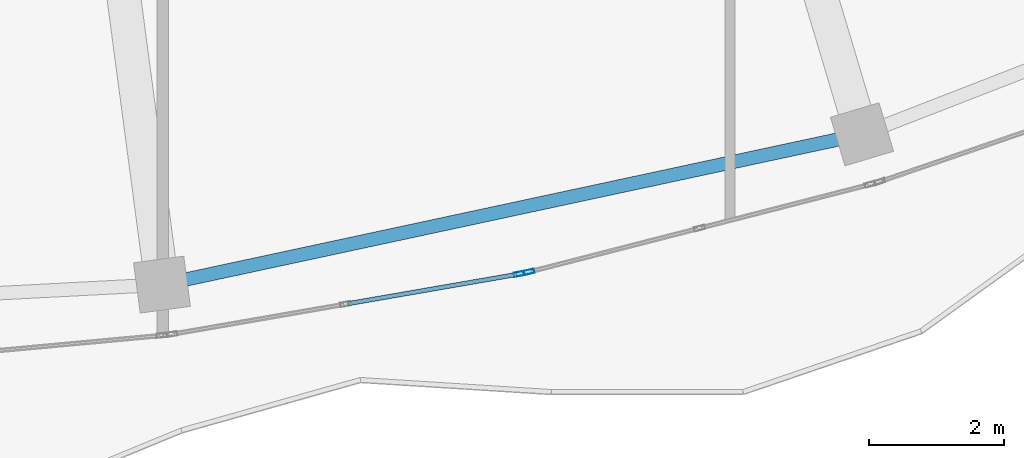
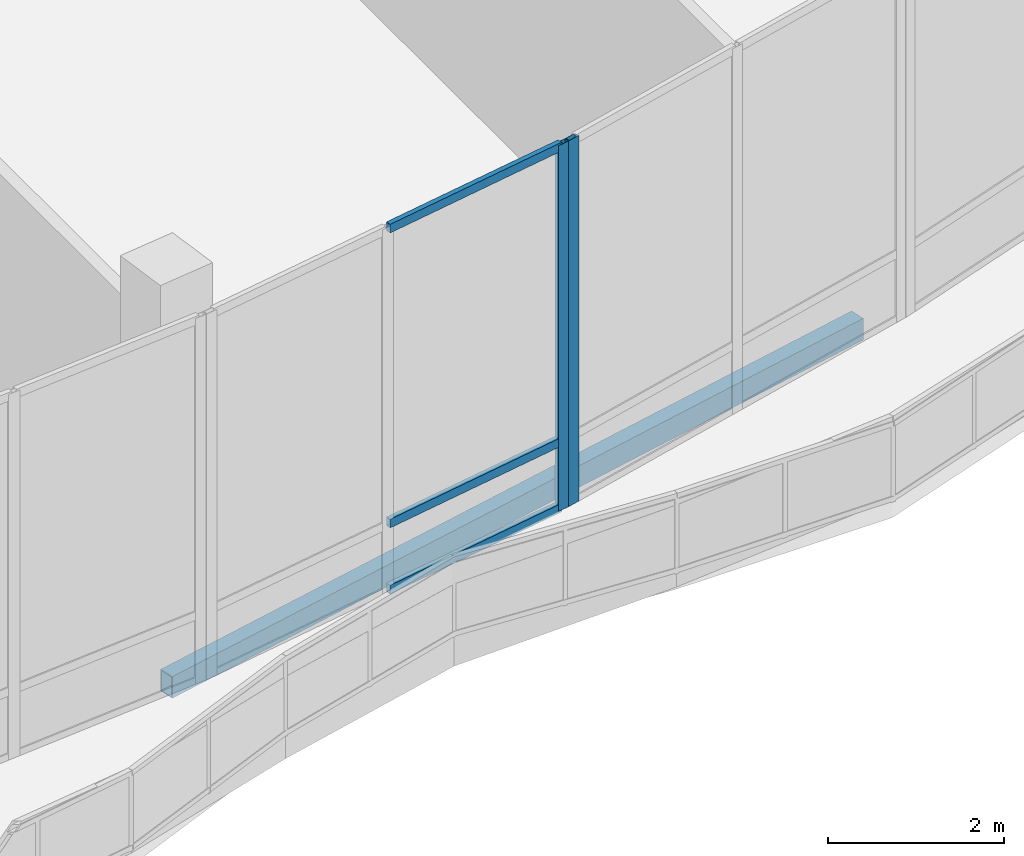
# One storey, part 28 of 158: 5 members, 1 beam, 2 elements without a shape of their own.
"""IFC4 building model written with IfcOpenShell, lengths in metres."""

from ifc_helpers import new_model, si_unit, direction, frame, origin, origin_2d, place, context, subcontext, project, spatial, hollow_rectangle, extrude, material, material_profile, profile_set, type_object, element, aggregate, save


model = new_model("IFC4")

# Units and contexts
model_context = context("Model", 3, precision=1e-05, world=origin(), true_north=direction((0.0, 1.0)))
body_context = subcontext(model_context, "Body", "Model", "MODEL_VIEW")
ifc_project = project(units=[si_unit("LENGTHUNIT", "METRE"), si_unit("AREAUNIT", "SQUARE_METRE"), si_unit("VOLUMEUNIT", "CUBIC_METRE"), si_unit("PLANEANGLEUNIT", "RADIAN"), si_unit("MASSUNIT", "GRAM", prefix="KILO")], contexts=[model_context])

# Site, building, storey
site_placement = place(None, origin())
site = spatial("IfcSite", under=ifc_project, at=site_placement, CompositionType="ELEMENT")
building_placement = place(site_placement, origin())
building = spatial("IfcBuilding", under=site, at=building_placement, Name="Selatvlak General Hospital", CompositionType="ELEMENT")
storey_placement = place(building_placement, origin())
storey = spatial("IfcBuildingStorey", under=building, at=storey_placement, Name="L00", CompositionType="ELEMENT", Elevation=0.0)

# Beam
ifc_material_1 = material(Name="Steel S355", Category="steel")
ifc_material_profile_1 = material_profile(ifc_material_1, hollow_rectangle(XDim=0.199951171875, YDim=0.300048828125, WallThickness=0.011962890625, at=origin_2d()), Name="RHS 300x200x12")
ifc_profile_set_1 = profile_set([ifc_material_profile_1], Name="Steel S355")
beam_type = type_object("IfcBeamType", Name="BM-SP3", PredefinedType="SPANDREL", material=ifc_profile_set_1)
beam_placement = place(storey_placement, frame((64.7890625, 13.3310546875, -0.5), z_axis=(0.977714375037, 0.209939517116, 0.0), x_axis=(-0.209939517116, 0.977714375037, 0.0)))
element("IfcBeam", 1, at=beam_placement, inside=storey, type_object=beam_type, Name="Beam BMR-L00-0372", PredefinedType="SPANDREL", context=body_context, shape_type="SweptSolid", body=[
    extrude(hollow_rectangle(XDim=0.199951171875, YDim=0.300048828125, WallThickness=0.011962890625, at=origin_2d()), origin(), (0.0, 0.0, 1.0), 10.602294921875),
])

# Curtain wall, member
ifc_material_2 = material(Name="Solar-control Low-E double glazing", Category="glass")
curtain_wall_type_1 = type_object("IfcCurtainWallType", Name="CW-CW-01", PredefinedType="USERDEFINED", material=ifc_material_2)
curtain_wall_1_placement = place(storey_placement, origin())
curtain_wall_1 = element("IfcCurtainWall", 2, at=curtain_wall_1_placement, inside=storey, type_object=curtain_wall_type_1, Name="Glazed facade curtain wall CW-L00-0051", ObjectType="UNITISED CURTAIN WALL", PredefinedType="USERDEFINED")
ifc_material_3 = material(Name="Dark anodised aluminium mullion", Category="aluminium")
ifc_material_profile_2 = material_profile(ifc_material_3, hollow_rectangle(XDim=0.06494140625, YDim=0.159912109375, WallThickness=0.00390625, at=origin_2d()), Name="AL-MUL 65x160x4")
ifc_profile_set_2 = profile_set([ifc_material_profile_2], Name="Dark anodised aluminium mullion")
member_type_1 = type_object("IfcMemberType", Name="CWM-01", PredefinedType="MULLION", material=ifc_profile_set_2)
member_1_placement = place(storey_placement, frame((70.222412109375, 13.51806640625, 0.0), z_axis=(0.0, 0.0, 1.0), x_axis=(0.248543854938, -0.968620644098, 0.0)))
member_1 = element("IfcMember", 3, at=member_1_placement, type_object=member_type_1, Name="CW-01 mullion 3", PredefinedType="MULLION", context=body_context, shape_type="SweptSolid", body=[
    extrude(hollow_rectangle(XDim=0.06494140625, YDim=0.159912109375, WallThickness=0.00390625, at=origin_2d()), origin(), (0.0, 0.0, 1.0), 5.080078125),
])
aggregate(curtain_wall_1, [member_1])

# Curtain wall, members
curtain_wall_type_2 = type_object("IfcCurtainWallType", Name="CW-CW-02", PredefinedType="USERDEFINED", material=ifc_material_2)
curtain_wall_2_placement = place(storey_placement, origin())
curtain_wall_2 = element("IfcCurtainWall", 4, at=curtain_wall_2_placement, inside=storey, type_object=curtain_wall_type_2, Name="Glazed facade curtain wall CW-L00-0052", ObjectType="UNITISED CURTAIN WALL", PredefinedType="USERDEFINED")
member_2_placement = place(storey_placement, frame((70.080078125, 13.488525390625, 0.0), z_axis=(0.0, 0.0, 1.0), x_axis=(0.170838151242, -0.985299104881, 0.0)))
member_2 = element("IfcMember", 5, at=member_2_placement, type_object=member_type_1, Name="CW-02 mullion 1", PredefinedType="MULLION", context=body_context, shape_type="SweptSolid", body=[
    extrude(hollow_rectangle(XDim=0.06494140625, YDim=0.159912109375, WallThickness=0.00390625, at=origin_2d()), origin(), (0.0, 0.0, 1.0), 5.080078125),
])
ifc_material_profile_3 = material_profile(ifc_material_3, hollow_rectangle(XDim=0.06494140625, YDim=0.1201171875, WallThickness=0.00390625, at=origin_2d()), Name="AL-TRN 65x120x4")
ifc_profile_set_3 = profile_set([ifc_material_profile_3], Name="Dark anodised aluminium mullion")
member_type_2 = type_object("IfcMemberType", Name="CWT-01", PredefinedType="USERDEFINED", material=ifc_profile_set_3)
member_3_placement = place(storey_placement, frame((70.0478515625, 13.48291015625, 0.032470703125), z_axis=(-0.985299625716, -0.170835147333, 0.0), x_axis=(0.170835147333, -0.985299625716, 0.0)))
member_3 = element("IfcMember", 6, at=member_3_placement, type_object=member_type_2, Name="CW-02 transom 1.1", ObjectType="TRANSOM", PredefinedType="USERDEFINED", context=body_context, shape_type="SweptSolid", body=[
    extrude(hollow_rectangle(XDim=0.06494140625, YDim=0.1201171875, WallThickness=0.00390625, at=origin_2d()), origin(), (0.0, 0.0, 1.0), 2.545166015625),
])
member_4_placement = place(storey_placement, frame((70.0478515625, 13.48291015625, 0.949951171875), z_axis=(-0.985299625716, -0.170835147333, 0.0), x_axis=(0.170835147333, -0.985299625716, 0.0)))
member_4 = element("IfcMember", 7, at=member_4_placement, type_object=member_type_2, Name="CW-02 transom 1.2", ObjectType="TRANSOM", PredefinedType="USERDEFINED", context=body_context, shape_type="SweptSolid", body=[
    extrude(hollow_rectangle(XDim=0.06494140625, YDim=0.1201171875, WallThickness=0.00390625, at=origin_2d()), origin(), (0.0, 0.0, 1.0), 2.545166015625),
])
member_5_placement = place(storey_placement, frame((70.0478515625, 13.48291015625, 5.047607421875), z_axis=(-0.985299625716, -0.170835147333, 0.0), x_axis=(0.170835147333, -0.985299625716, 0.0)))
member_5 = element("IfcMember", 8, at=member_5_placement, type_object=member_type_2, Name="CW-02 transom 1.3", ObjectType="TRANSOM", PredefinedType="USERDEFINED", context=body_context, shape_type="SweptSolid", body=[
    extrude(hollow_rectangle(XDim=0.06494140625, YDim=0.1201171875, WallThickness=0.00390625, at=origin_2d()), origin(), (0.0, 0.0, 1.0), 2.545166015625),
])
aggregate(curtain_wall_2, [member_2, member_3, member_4, member_5])

save(model, "model.ifc")
